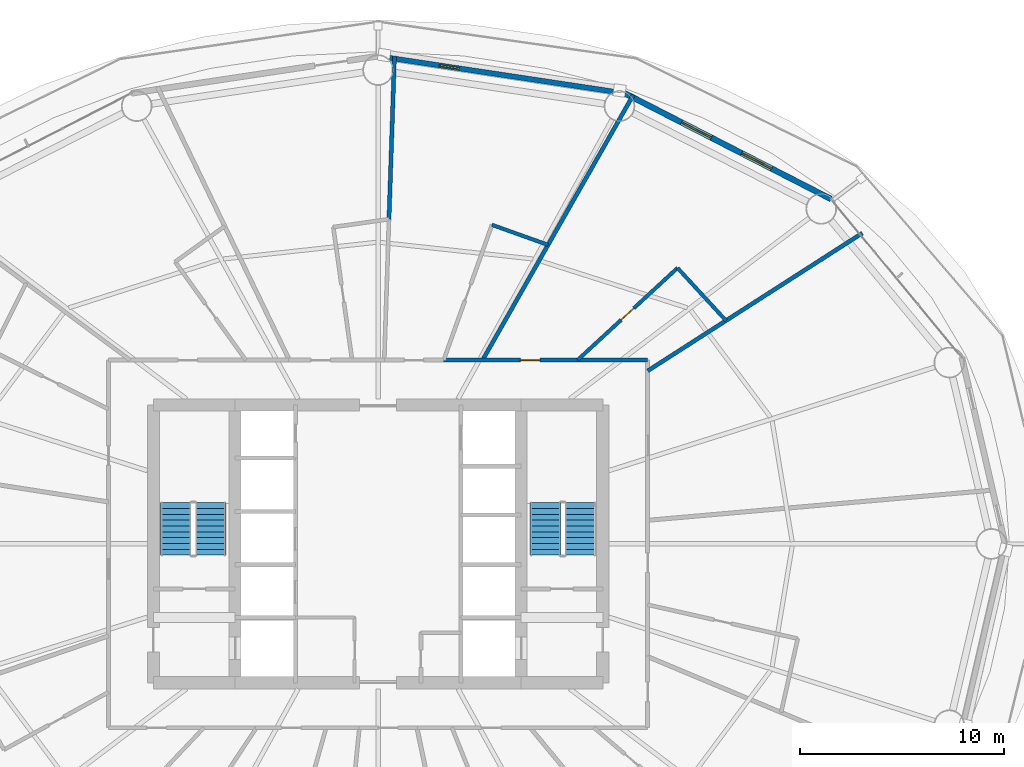
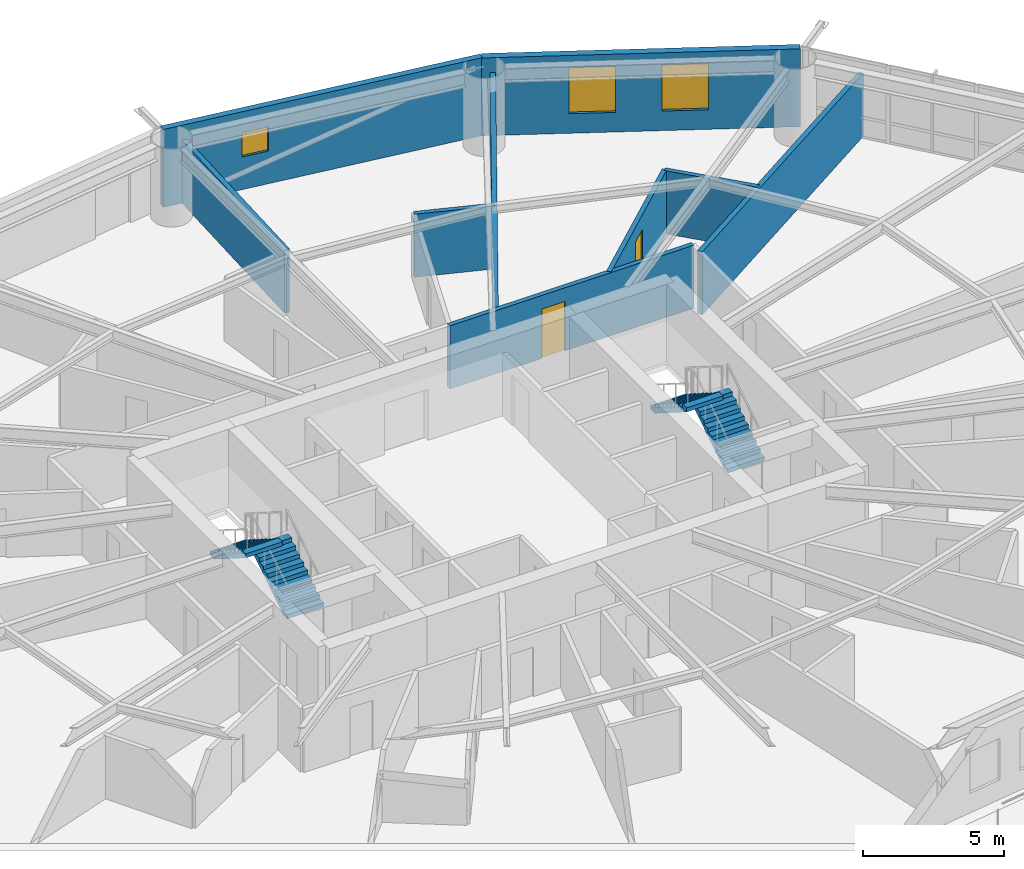
# One storey, part 23 of 26: 9 walls, 4 stair flights, 3 windows, 2 doors, 5 openings, 2 elements without a shape of their own.
"""IFC4 building model written with IfcOpenShell, lengths in metres."""

from ifc_helpers import new_model, si_unit, direction, frame, frame_2d, origin, place, context, subcontext, project, spatial, polyline, rectangle, outline, extrude, material, layer, layer_set, type_object, element, fill, aggregate, save


model = new_model("IFC4")

# Units and contexts
model_context = context("Model", 3, precision=1e-05, world=origin(), true_north=direction((0.0, 1.0)))
body_context = subcontext(model_context, "Body", "Model", "MODEL_VIEW")
ifc_project = project(units=[si_unit("LENGTHUNIT", "METRE"), si_unit("AREAUNIT", "SQUARE_METRE"), si_unit("VOLUMEUNIT", "CUBIC_METRE"), si_unit("PLANEANGLEUNIT", "RADIAN"), si_unit("MASSUNIT", "GRAM", prefix="KILO")], contexts=[model_context])

# Site, building, storey
site_placement = place(None, origin())
site = spatial("IfcSite", under=ifc_project, at=site_placement, CompositionType="ELEMENT")
building_placement = place(site_placement, origin())
building = spatial("IfcBuilding", under=site, at=building_placement, Name="Sarneth Arch Tower", CompositionType="ELEMENT")
storey_placement = place(building_placement, frame((0.0, 0.0, 35.39990234375)))
storey = spatial("IfcBuildingStorey", under=building, at=storey_placement, Name="L07", CompositionType="ELEMENT", Elevation=35.39990234375)

# Wall, opening, door
ifc_material_1 = material(Name="Double steel-stud corridor fire wall", Category="steel")
ifc_layer_1 = layer(ifc_material_1, 0.18994140625)
ifc_layer_set_1 = layer_set([ifc_layer_1], Name="Double steel-stud corridor fire wall")
wall_type_1 = type_object("IfcWallType", Name="WALL-CORR-190", PredefinedType="PARTITIONING", material=ifc_layer_set_1)
wall_1_placement = place(storey_placement, frame((51.178955078125, 51.0, 0.0), z_axis=(0.0, 0.0, 1.0), x_axis=(1.0, 0.0, 0.0)))
wall_1 = element("IfcWall", 1, at=wall_1_placement, inside=storey, type_object=wall_type_1, Name="L07 Interior partition W-L07-TP-002", PredefinedType="PARTITIONING", context=body_context, shape_type="SweptSolid", body=[
    extrude(rectangle(XDim=10.02099609375, YDim=0.18994140625, at=frame_2d((5.010498046875, 0.0))), origin(), (0.0, 0.0, 1.0), 2.739990234375),
])
opening_1_placement = place(wall_1_placement, frame((3.79248046875, 0.0, 0.0)))
opening_1 = element("IfcOpeningElement", 2, at=opening_1_placement, cuts=wall_1, Name="Opening FD-09", PredefinedType="OPENING", context=body_context, shape_type="SweptSolid", body=[
    extrude(rectangle(XDim=0.949951171875, YDim=2.14990234375, at=frame_2d((0.47509765625, 1.074951171875))), frame((0.0, 0.10498046875, 0.0), z_axis=(0.0, -1.0, 0.0), x_axis=(1.0, 0.0, 0.0)), (0.0, 0.0, 1.0), 0.2099609375),
])
ifc_material_2 = material(Name="Hardwood timber hotel entrance fire door", Category="wood")
door_type_1 = type_object("IfcDoorType", Name="DR-FD60-950", OperationType="SINGLE_SWING_RIGHT", PredefinedType="DOOR", material=ifc_material_2)
door_1_placement = place(opening_1_placement, origin())
door_1 = element("IfcDoor", 3, at=door_1_placement, inside=storey, type_object=door_type_1, Name="L07 Interior door DR-L07-KEY-02", OperationType="SINGLE_SWING_RIGHT", OverallHeight=2.14990234375, OverallWidth=0.949951171875, PredefinedType="DOOR", context=body_context, shape_type="SweptSolid", body=[
    extrude(rectangle(XDim=0.949951171875, YDim=2.14990234375, at=frame_2d((0.47509765625, 1.074951171875))), frame((0.0, 0.02490234375, 0.0), z_axis=(0.0, -1.0, 0.0), x_axis=(1.0, 0.0, 0.0)), (0.0, 0.0, 1.0), 0.050048828125),
])
fill(opening_1, door_1)

# Wall, opening, window
ifc_material_3 = material(Name="Extruded terracotta rainscreen on Concrete C40/50 backing", Category="masonry")
ifc_layer_2 = layer(ifc_material_3, 0.25)
ifc_layer_set_2 = layer_set([ifc_layer_2], Name="Extruded terracotta rainscreen on Concrete C40/50 backing")
wall_type_2 = type_object("IfcWallType", Name="WALL-EXT-SPAND-250", PredefinedType="SOLIDWALL", material=ifc_layer_set_2)
wall_2_placement = place(storey_placement, frame((60.077880859375, 64.062255859375, 0.0), z_axis=(0.0, 0.0, 1.0), x_axis=(-0.988864835849, 0.148816452121, 0.0)))
wall_2 = element("IfcWall", 4, at=wall_2_placement, inside=storey, type_object=wall_type_2, Name="L07 Terracotta perimeter wall 04", PredefinedType="SOLIDWALL", context=body_context, shape_type="SweptSolid", body=[
    extrude(rectangle(XDim=12.2138671875, YDim=0.25, at=frame_2d((6.10693359375, 0.0))), origin(), (0.0, 0.0, 1.0), 3.380126953125),
])
opening_2_placement = place(wall_2_placement, frame((8.195068359375, 0.0, 1.419921875)))
opening_2 = element("IfcOpeningElement", 5, at=opening_2_placement, cuts=wall_2, Name="Opening W-14", PredefinedType="OPENING", context=body_context, shape_type="SweptSolid", body=[
    extrude(rectangle(XDim=1.0, YDim=1.050048828125, at=frame_2d((0.5, 0.52490234375))), frame((0.0, 0.135009765625, 0.0), z_axis=(0.0, -1.0, 0.0), x_axis=(1.0, 0.0, 0.0)), (0.0, 0.0, 1.0), 0.27001953125),
])
ifc_material_4 = material(Name="Thermally broken Aluminium 6063-T6 and low-e laminated IGU", Category="aluminium")
window_type_1 = type_object("IfcWindowType", Name="WIN-TWR-1000x1050", PartitioningType="SINGLE_PANEL", PredefinedType="WINDOW", material=ifc_material_4)
window_1_placement = place(opening_2_placement, origin())
window_1 = element("IfcWindow", 6, at=window_1_placement, inside=storey, type_object=window_type_1, Name="L07 Dwelling bedroom window 01", OverallHeight=1.050048828125, OverallWidth=1.0, PartitioningType="SINGLE_PANEL", PredefinedType="WINDOW", context=body_context, shape_type="SweptSolid", body=[
    extrude(rectangle(XDim=1.0, YDim=1.050048828125, at=frame_2d((0.5, 0.52490234375))), frame((0.0, 0.030029296875, 0.0), z_axis=(0.0, -1.0, 0.0), x_axis=(1.0, 0.0, 0.0)), (0.0, 0.0, 1.0), 0.06005859375),
])
fill(opening_2, window_1)

# Wall, openings, windows
ifc_material_5 = material(Name="Extruded terracotta rainscreen on Concrete C40/50 backing", Category="masonry")
ifc_layer_3 = layer(ifc_material_5, 0.280029296875)
ifc_layer_set_3 = layer_set([ifc_layer_3], Name="Extruded terracotta rainscreen on Concrete C40/50 backing")
wall_type_3 = type_object("IfcWallType", Name="WALL-EXT-TERRA-280", PredefinedType="SOLIDWALL", material=ifc_layer_set_3)
wall_3_placement = place(storey_placement, frame((70.174072265625, 58.8857421875, 0.0), z_axis=(0.0, 0.0, 1.0), x_axis=(-0.889853976658, 0.456245438581, 0.0)))
wall_3 = element("IfcWall", 7, at=wall_3_placement, inside=storey, type_object=wall_type_3, Name="L07 Terracotta perimeter wall 03", PredefinedType="SOLIDWALL", context=body_context, shape_type="SweptSolid", body=[
    extrude(rectangle(XDim=11.345947265625, YDim=0.280029296875, at=frame_2d((5.6728515625, 0.0))), origin(), (0.0, 0.0, 1.0), 3.380126953125),
])
opening_3_placement = place(wall_3_placement, frame((3.26708984375, 0.0, 0.85009765625)))
opening_3 = element("IfcOpeningElement", 8, at=opening_3_placement, cuts=wall_3, Name="Opening W-05", PredefinedType="OPENING", context=body_context, shape_type="SweptSolid", body=[
    extrude(rectangle(XDim=1.64990234375, YDim=2.0, at=frame_2d((0.824951171875, 1.0))), frame((0.0, 0.14990234375, 0.0), z_axis=(0.0, -1.0, 0.0), x_axis=(1.0, 0.0, 0.0)), (0.0, 0.0, 1.0), 0.300048828125),
])
opening_4_placement = place(wall_3_placement, frame((6.5791015625, 0.0, 0.85009765625)))
opening_4 = element("IfcOpeningElement", 9, at=opening_4_placement, cuts=wall_3, Name="Opening W-05", PredefinedType="OPENING", context=body_context, shape_type="SweptSolid", body=[
    extrude(rectangle(XDim=1.64990234375, YDim=2.0, at=frame_2d((0.824951171875, 1.0))), frame((0.0, 0.14990234375, 0.0), z_axis=(0.0, -1.0, 0.0), x_axis=(1.0, 0.0, 0.0)), (0.0, 0.0, 1.0), 0.300048828125),
])
ifc_material_6 = material(Name="Thermally broken Aluminium 6063-T6 and low-e laminated IGU", Category="aluminium")
window_type_2 = type_object("IfcWindowType", Name="WIN-TWR-1650x2000", PartitioningType="DOUBLE_PANEL_VERTICAL", PredefinedType="WINDOW", material=ifc_material_6)
window_2_placement = place(opening_3_placement, origin())
window_2 = element("IfcWindow", 10, at=window_2_placement, inside=storey, type_object=window_type_2, Name="L07 Exterior window 03A", OverallHeight=2.0, OverallWidth=1.64990234375, PartitioningType="SINGLE_PANEL", PredefinedType="WINDOW", context=body_context, shape_type="SweptSolid", body=[
    extrude(rectangle(XDim=1.64990234375, YDim=2.0, at=frame_2d((0.824951171875, 1.0))), frame((0.0, 0.030029296875, 0.0), z_axis=(0.0, -1.0, 0.0), x_axis=(1.0, 0.0, 0.0)), (0.0, 0.0, 1.0), 0.06005859375),
])
fill(opening_3, window_2)
window_3_placement = place(opening_4_placement, origin())
window_3 = element("IfcWindow", 11, at=window_3_placement, inside=storey, type_object=window_type_2, Name="L07 Exterior window 03B", OverallHeight=2.0, OverallWidth=1.64990234375, PartitioningType="SINGLE_PANEL", PredefinedType="WINDOW", context=body_context, shape_type="SweptSolid", body=[
    extrude(rectangle(XDim=1.64990234375, YDim=2.0, at=frame_2d((0.824951171875, 1.0))), frame((0.0, 0.030029296875, 0.0), z_axis=(0.0, -1.0, 0.0), x_axis=(1.0, 0.0, 0.0)), (0.0, 0.0, 1.0), 0.06005859375),
])
fill(opening_4, window_3)

# Wall, opening, door
ifc_material_7 = material(Name="Moisture-resistant plumbing chase wall", Category="gypsum")
ifc_layer_4 = layer(ifc_material_7, 0.179931640625)
ifc_layer_set_4 = layer_set([ifc_layer_4], Name="Moisture-resistant plumbing chase wall")
wall_type_4 = type_object("IfcWallType", Name="WALL-PLUMB-180", PredefinedType="PLUMBINGWALL", material=ifc_layer_set_4)
wall_4_placement = place(storey_placement, frame((62.660400390625, 55.510009765625, 0.0), z_axis=(0.0, 0.0, 1.0), x_axis=(-0.735369975398, -0.67766584633, 0.0)))
wall_4 = element("IfcWall", 12, at=wall_4_placement, inside=storey, type_object=wall_type_4, Name="L07 Interior partition W-L07-TP-033", PredefinedType="PLUMBINGWALL", context=body_context, shape_type="SweptSolid", body=[
    extrude(rectangle(XDim=6.6552734375, YDim=0.179931640625, at=frame_2d((3.32763671875, 0.0))), origin(), (0.0, 0.0, 1.0), 2.739990234375),
])
opening_5_placement = place(wall_4_placement, frame((2.902587890625, 0.0, 0.0)))
opening_5 = element("IfcOpeningElement", 13, at=opening_5_placement, cuts=wall_4, Name="Opening ID-02", PredefinedType="OPENING", context=body_context, shape_type="SweptSolid", body=[
    extrude(rectangle(XDim=0.85009765625, YDim=2.10009765625, at=frame_2d((0.425048828125, 1.050048828125))), frame((0.0, 0.099853515625, 0.0), z_axis=(0.0, -1.0, 0.0), x_axis=(1.0, 0.0, 0.0)), (0.0, 0.0, 1.0), 0.199951171875),
])
ifc_material_8 = material(Name="Moisture-resistant bathroom timber door", Category="wood")
door_type_2 = type_object("IfcDoorType", Name="DR-INT-850", OperationType="SINGLE_SWING_RIGHT", PredefinedType="DOOR", material=ifc_material_8)
door_2_placement = place(opening_5_placement, origin())
door_2 = element("IfcDoor", 14, at=door_2_placement, inside=storey, type_object=door_type_2, Name="L07 Interior door DR-L07-ENS-02", OperationType="SINGLE_SWING_RIGHT", OverallHeight=2.10009765625, OverallWidth=0.85009765625, PredefinedType="DOOR", context=body_context, shape_type="SweptSolid", body=[
    extrude(rectangle(XDim=0.85009765625, YDim=2.10009765625, at=frame_2d((0.425048828125, 1.050048828125))), frame((0.0, 0.02490234375, 0.0), z_axis=(0.0, -1.0, 0.0), x_axis=(1.0, 0.0, 0.0)), (0.0, 0.0, 1.0), 0.050048828125),
])
fill(opening_5, door_2)

# Walls
wall_5_placement = place(storey_placement, frame((65.03515625, 52.93310546875, 0.0), z_axis=(0.0, 0.0, 1.0), x_axis=(-0.677675106239, 0.735361442002, 0.0)))
element("IfcWall", 15, at=wall_5_placement, inside=storey, type_object=wall_type_4, Name="L07 Interior partition W-L07-TP-032", PredefinedType="PLUMBINGWALL", context=body_context, shape_type="SweptSolid", body=[
    extrude(rectangle(XDim=3.504150390625, YDim=0.179931640625, at=frame_2d((1.751953125, 0.0))), origin(), (0.0, 0.0, 1.0), 2.739990234375),
])
wall_6_placement = place(storey_placement, frame((56.322021484375, 56.640380859375, 0.0), z_axis=(0.0, 0.0, 1.0), x_axis=(-0.94177979862, 0.336230294457, 0.0)))
element("IfcWall", 16, at=wall_6_placement, inside=storey, type_object=wall_type_4, Name="L07 Interior partition W-L07-TP-036", PredefinedType="PLUMBINGWALL", context=body_context, shape_type="SweptSolid", body=[
    extrude(rectangle(XDim=2.915283203125, YDim=0.179931640625, at=frame_2d((1.45751953125, 0.0))), origin(), (0.0, 0.0, 1.0), 2.739990234375),
])
ifc_material_9 = material(Name="Double steel-stud acoustic drywall", Category="steel")
ifc_layer_5 = layer(ifc_material_9, 0.199951171875)
ifc_layer_set_5 = layer_set([ifc_layer_5], Name="Double steel-stud acoustic drywall")
wall_type_5 = type_object("IfcWallType", Name="WALL-UNIT-200", PredefinedType="PARTITIONING", material=ifc_layer_set_5)
wall_7_placement = place(storey_placement, frame((53.115966796875, 51.0, 0.0), z_axis=(0.0, 0.0, 1.0), x_axis=(0.494167535405, 0.869366693031, 0.0)))
element("IfcWall", 17, at=wall_7_placement, inside=storey, type_object=wall_type_5, Name="L07 Interior partition W-L07-TP-034", PredefinedType="PARTITIONING", context=body_context, shape_type="SweptSolid", body=[
    extrude(rectangle(XDim=14.93359375, YDim=0.199951171875, at=frame_2d((7.466796875, 0.0))), origin(), (0.0, 0.0, 1.0), 2.739990234375),
])
wall_8_placement = place(storey_placement, frame((48.8017578125, 65.8798828125, 0.0), z_axis=(0.0, 0.0, 1.0), x_axis=(-0.033562144005, -0.999436632553, 0.0)))
element("IfcWall", 18, at=wall_8_placement, inside=storey, type_object=wall_type_5, Name="L07 Interior partition W-L07-TP-038", PredefinedType="PARTITIONING", context=body_context, shape_type="SweptSolid", body=[
    extrude(rectangle(XDim=7.987060546875, YDim=0.199951171875, at=frame_2d((3.99365234375, 0.0))), origin(), (0.0, 0.0, 1.0), 2.739990234375),
])
wall_9_placement = place(storey_placement, frame((61.199951171875, 50.4716796875, 0.0), z_axis=(0.0, 0.0, 1.0), x_axis=(0.841576538847, 0.540137879863, 0.0)))
element("IfcWall", 19, at=wall_9_placement, inside=storey, type_object=wall_type_5, Name="L07 Interior partition W-L07-TP-029", PredefinedType="PARTITIONING", context=body_context, shape_type="SweptSolid", body=[
    extrude(rectangle(XDim=12.4873046875, YDim=0.199951171875, at=frame_2d((6.24365234375, 0.0))), origin(), (0.0, 0.0, 1.0), 2.739990234375),
])

# Stair, stair flights
ifc_material_10 = material(Name="Concrete C50/60", Category="concrete")
stair_type = type_object("IfcStairType", Name="STAIR-CORE-RC", PredefinedType="HALF_TURN_STAIR", material=ifc_material_10)
stair_1_placement = place(storey_placement, origin())
stair_1 = element("IfcStair", 20, at=stair_1_placement, inside=storey, type_object=stair_type, Name="L07 Core Exit Stair 1", PredefinedType="HALF_TURN_STAIR")
ifc_material_11 = material(Name="Concrete C50/60", Category="concrete")
stair_flight_type = type_object("IfcStairFlightType", Name="FLIGHT-RC-1500", PredefinedType="STRAIGHT", material=ifc_material_11)
stair_flight_1_placement = place(storey_placement, frame((39.800048828125, 41.449951171875, 0.0), z_axis=(0.0, 0.0, 1.0), x_axis=(0.0, 1.0, 0.0)))
stair_flight_1 = element("IfcStairFlight", 21, at=stair_flight_1_placement, type_object=stair_flight_type, Name="ST-1 flight 1", NumberOfRisers=10, NumberOfTreads=9, PredefinedType="STRAIGHT", RiserHeight=0.18, TreadLength=0.285, context=body_context, shape_type="SweptSolid", body=[
    extrude(outline(polyline([(0.0, 0.0), (0.0, 0.179931640625), (0.284912109375, 0.179931640625), (0.284912109375, 0.360107421875), (0.570068359375, 0.360107421875), (0.570068359375, 0.5400390625), (0.85498046875, 0.5400390625), (0.85498046875, 0.719970703125), (1.139892578125, 0.719970703125), (1.139892578125, 0.89990234375), (1.425048828125, 0.89990234375), (1.425048828125, 1.080078125), (1.7099609375, 1.080078125), (1.7099609375, 1.260009765625), (1.9951171875, 1.260009765625), (1.9951171875, 1.43994140625), (2.280029296875, 1.43994140625), (2.280029296875, 1.6201171875), (2.56494140625, 1.6201171875), (2.56494140625, 1.800048828125), (2.56494140625, 1.442626953125), (0.28076171875, 0.0), (0.0, 0.0)])), frame((0.0, 0.75, 0.0), z_axis=(0.0, -1.0, 0.0), x_axis=(1.0, 0.0, 0.0)), (0.0, 0.0, 1.0), 1.5),
])
stair_flight_2_placement = place(storey_placement, frame((38.10009765625, 44.014892578125, 1.800048828125), z_axis=(0.0, 0.0, 1.0), x_axis=(0.0, -1.0, 0.0)))
stair_flight_2 = element("IfcStairFlight", 22, at=stair_flight_2_placement, type_object=stair_flight_type, Name="ST-1 flight 2", NumberOfRisers=10, NumberOfTreads=9, PredefinedType="STRAIGHT", RiserHeight=0.18, TreadLength=0.285, context=body_context, shape_type="SweptSolid", body=[
    extrude(outline(polyline([(0.0, 0.0), (0.0, 0.179931640625), (0.284912109375, 0.179931640625), (0.284912109375, 0.360107421875), (0.570068359375, 0.360107421875), (0.570068359375, 0.5400390625), (0.85498046875, 0.5400390625), (0.85498046875, 0.719970703125), (1.139892578125, 0.719970703125), (1.139892578125, 0.89990234375), (1.425048828125, 0.89990234375), (1.425048828125, 1.080078125), (1.7099609375, 1.080078125), (1.7099609375, 1.260009765625), (1.9951171875, 1.260009765625), (1.9951171875, 1.43994140625), (2.280029296875, 1.43994140625), (2.280029296875, 1.6201171875), (2.56494140625, 1.6201171875), (2.56494140625, 1.800048828125), (2.56494140625, 1.442626953125), (0.28076171875, 0.0), (0.0, 0.0)])), frame((0.0, 0.75, 0.0), z_axis=(0.0, -1.0, 0.0), x_axis=(1.0, 0.0, 0.0)), (0.0, 0.0, 1.0), 1.5),
])
aggregate(stair_1, [stair_flight_1, stair_flight_2])

stair_2_placement = place(storey_placement, origin())
stair_2 = element("IfcStair", 23, at=stair_2_placement, inside=storey, type_object=stair_type, Name="L07 Core Exit Stair 2", PredefinedType="HALF_TURN_STAIR")
stair_flight_3_placement = place(storey_placement, frame((57.89990234375, 41.449951171875, 0.0), z_axis=(0.0, 0.0, 1.0), x_axis=(0.0, 1.0, 0.0)))
stair_flight_3 = element("IfcStairFlight", 24, at=stair_flight_3_placement, type_object=stair_flight_type, Name="ST-2 flight 1", NumberOfRisers=10, NumberOfTreads=9, PredefinedType="STRAIGHT", RiserHeight=0.18, TreadLength=0.285, context=body_context, shape_type="SweptSolid", body=[
    extrude(outline(polyline([(0.0, 0.0), (0.0, 0.179931640625), (0.284912109375, 0.179931640625), (0.284912109375, 0.360107421875), (0.570068359375, 0.360107421875), (0.570068359375, 0.5400390625), (0.85498046875, 0.5400390625), (0.85498046875, 0.719970703125), (1.139892578125, 0.719970703125), (1.139892578125, 0.89990234375), (1.425048828125, 0.89990234375), (1.425048828125, 1.080078125), (1.7099609375, 1.080078125), (1.7099609375, 1.260009765625), (1.9951171875, 1.260009765625), (1.9951171875, 1.43994140625), (2.280029296875, 1.43994140625), (2.280029296875, 1.6201171875), (2.56494140625, 1.6201171875), (2.56494140625, 1.800048828125), (2.56494140625, 1.442626953125), (0.28076171875, 0.0), (0.0, 0.0)])), frame((0.0, 0.75, 0.0), z_axis=(0.0, -1.0, 0.0), x_axis=(1.0, 0.0, 0.0)), (0.0, 0.0, 1.0), 1.5),
])
stair_flight_4_placement = place(storey_placement, frame((56.199951171875, 44.014892578125, 1.800048828125), z_axis=(0.0, 0.0, 1.0), x_axis=(0.0, -1.0, 0.0)))
stair_flight_4 = element("IfcStairFlight", 25, at=stair_flight_4_placement, type_object=stair_flight_type, Name="ST-2 flight 2", NumberOfRisers=10, NumberOfTreads=9, PredefinedType="STRAIGHT", RiserHeight=0.18, TreadLength=0.285, context=body_context, shape_type="SweptSolid", body=[
    extrude(outline(polyline([(0.0, 0.0), (0.0, 0.179931640625), (0.284912109375, 0.179931640625), (0.284912109375, 0.360107421875), (0.570068359375, 0.360107421875), (0.570068359375, 0.5400390625), (0.85498046875, 0.5400390625), (0.85498046875, 0.719970703125), (1.139892578125, 0.719970703125), (1.139892578125, 0.89990234375), (1.425048828125, 0.89990234375), (1.425048828125, 1.080078125), (1.7099609375, 1.080078125), (1.7099609375, 1.260009765625), (1.9951171875, 1.260009765625), (1.9951171875, 1.43994140625), (2.280029296875, 1.43994140625), (2.280029296875, 1.6201171875), (2.56494140625, 1.6201171875), (2.56494140625, 1.800048828125), (2.56494140625, 1.442626953125), (0.28076171875, 0.0), (0.0, 0.0)])), frame((0.0, 0.75, 0.0), z_axis=(0.0, -1.0, 0.0), x_axis=(1.0, 0.0, 0.0)), (0.0, 0.0, 1.0), 1.5),
])
aggregate(stair_2, [stair_flight_3, stair_flight_4])

save(model, "model.ifc")
